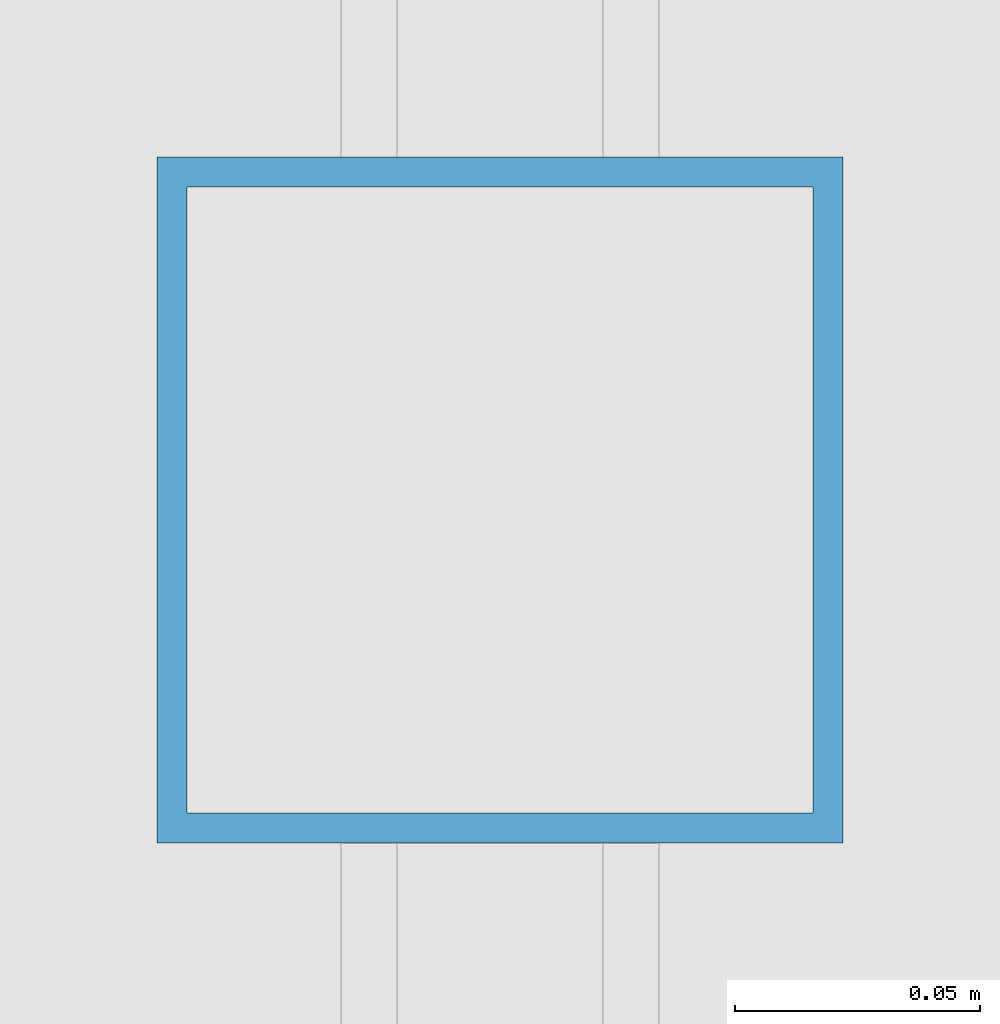
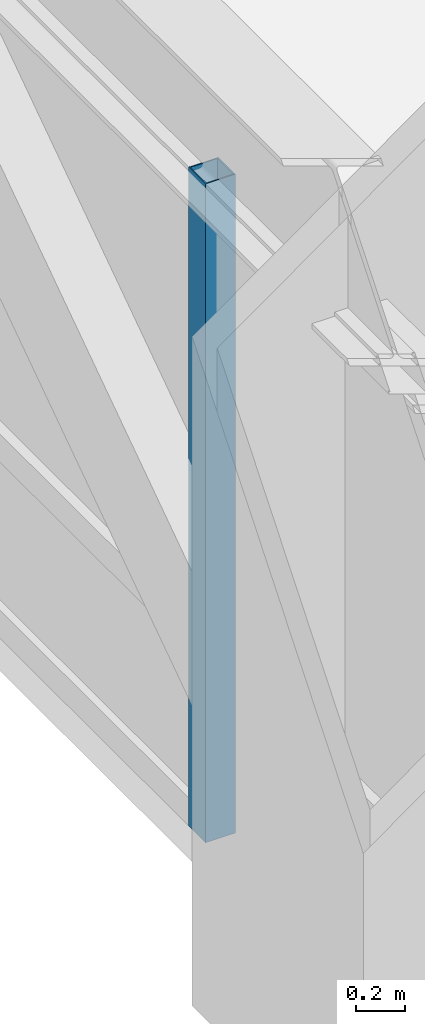
# One storey, part 6 of 31: 1 member, 1 element without a shape of its own.
"""IFC4 building model written with IfcOpenShell, lengths in metres."""

from ifc_helpers import new_model, si_unit, direction, frame, origin, origin_2d, place, context, subcontext, project, spatial, hollow_rectangle, extrude, source, transform, mapped, material, material_profile, profile_set, type_object, element, aggregate, save


model = new_model("IFC4")

# Units and contexts
model_context = context("Model", 3, precision=1e-05, world=origin(), true_north=direction((0.0, 1.0)))
body_context = subcontext(model_context, "Body", "Model", "MODEL_VIEW")
ifc_project = project(units=[si_unit("LENGTHUNIT", "METRE"), si_unit("AREAUNIT", "SQUARE_METRE"), si_unit("VOLUMEUNIT", "CUBIC_METRE"), si_unit("PLANEANGLEUNIT", "RADIAN"), si_unit("MASSUNIT", "GRAM", prefix="KILO")], contexts=[model_context])

# Site, building, storey
site_placement = place(None, origin())
site = spatial("IfcSite", under=ifc_project, at=site_placement, CompositionType="ELEMENT")
building_placement = place(site_placement, origin())
building = spatial("IfcBuilding", under=site, at=building_placement, Name="Khorayat Bourse Tower", CompositionType="ELEMENT")
storey_placement = place(building_placement, frame((0.0, 0.0, 41.0)))
storey = spatial("IfcBuildingStorey", under=building, at=storey_placement, Name="L08", CompositionType="ELEMENT", Elevation=41.0)

# Curtain wall, member
ifc_material = material(Name="Aluminium EN AW-6063 T6", Category="aluminium")
curtain_wall_type = type_object("IfcCurtainWallType", Name="CW-SYS-02", PredefinedType="NOTDEFINED", material=ifc_material)
curtain_wall_placement = place(storey_placement, origin())
curtain_wall = element("IfcCurtainWall", 1, at=curtain_wall_placement, inside=storey, type_object=curtain_wall_type, Name="L08 Curtain Wall CW-L08-W1", PredefinedType="NOTDEFINED")
ifc_material_profile = material_profile(ifc_material, hollow_rectangle(XDim=0.139892578125, YDim=0.139892578125, WallThickness=0.006103515625, at=origin_2d()), Name="ALU 140x140x6")
ifc_profile_set = profile_set([ifc_material_profile], Name="Aluminium EN AW-6063 T6")
member_type = type_object("IfcMemberType", Name="CWM-VERT-140", PredefinedType="MULLION", material=ifc_profile_set)
shared_shape = source(origin(), body_context, "Body", "SweptSolid", [
    extrude(hollow_rectangle(XDim=0.139892578125, YDim=0.139892578125, WallThickness=0.006103515625, at=origin_2d()), origin(), (0.0, 0.0, 1.0), 3.2900390625),
])
member_placement = place(storey_placement, frame((-32.0, -9.25, 0.0), z_axis=(0.0, 0.0, 1.0), x_axis=(-1.0, 0.0, 0.0)))
member = element("IfcMember", 2, at=member_placement, type_object=member_type, Name="CW-L08-W1 Vertical Mullion 2", PredefinedType="MULLION", context=body_context, shape_type="MappedRepresentation", body=[
    mapped(shared_shape, transform((0.0, 0.0, 0.0), scale=1.0)),
])
aggregate(curtain_wall, [member])

save(model, "model.ifc")
